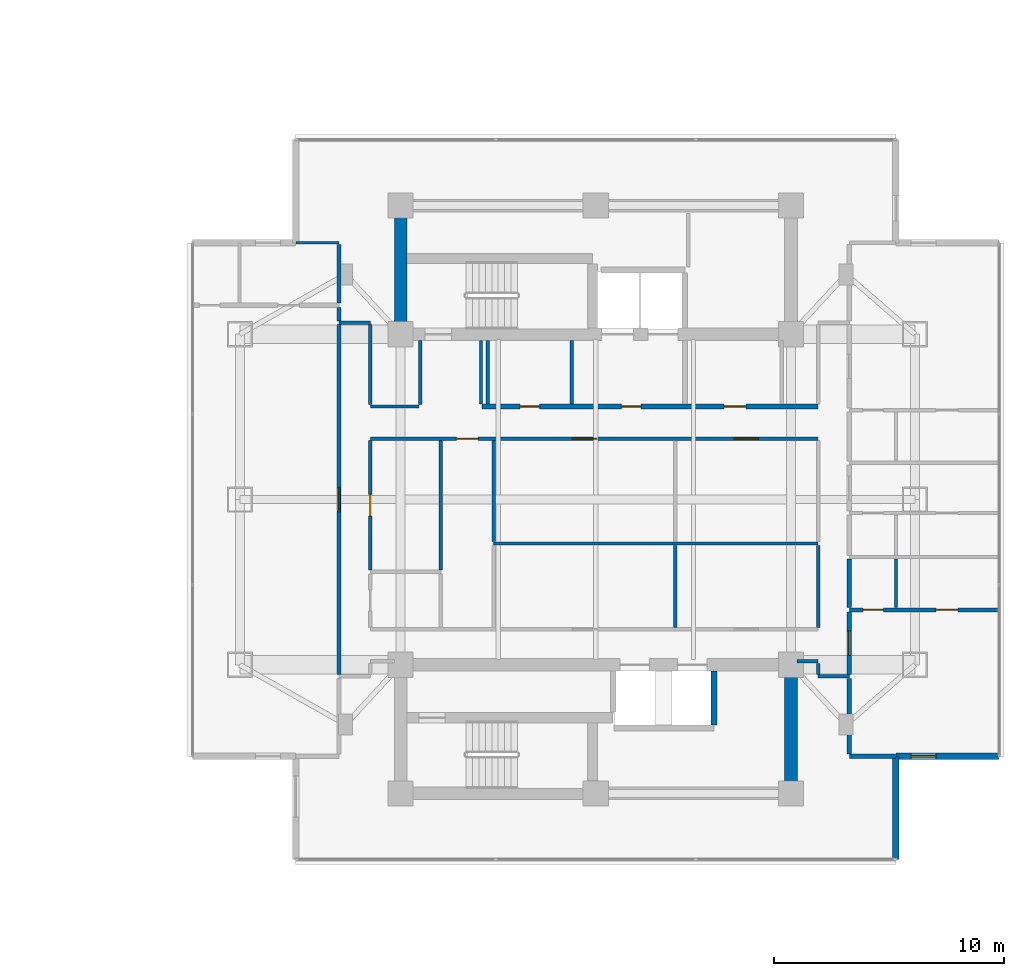
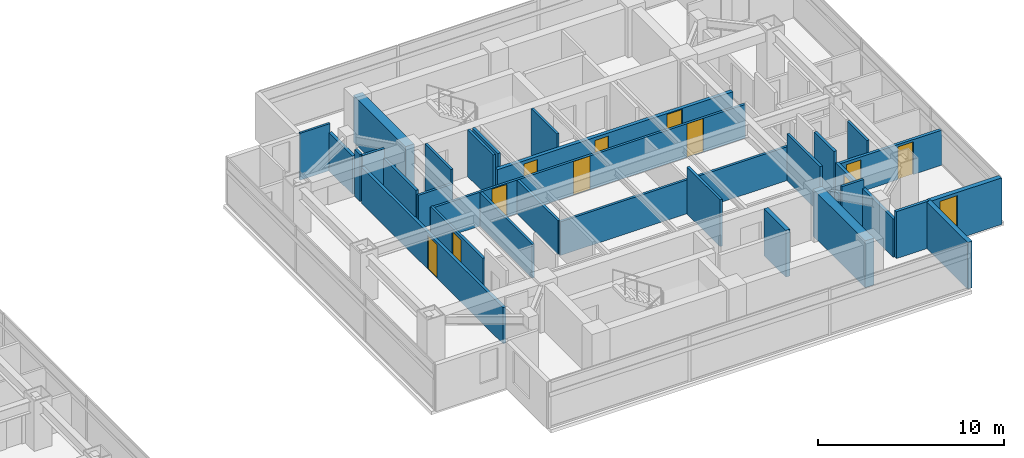
# One storey, part 18 of 26: 33 walls, 11 doors, 1 window, 12 openings.
"""IFC4 building model written with IfcOpenShell, lengths in metres."""

from ifc_helpers import new_model, si_unit, direction, frame, frame_2d, origin, place, context, subcontext, project, spatial, rectangle, extrude, material, layer, layer_set, type_object, element, fill, save


model = new_model("IFC4")

# Units and contexts
model_context = context("Model", 3, precision=1e-05, world=origin(), true_north=direction((0.0, 1.0)))
body_context = subcontext(model_context, "Body", "Model", "MODEL_VIEW")
ifc_project = project(units=[si_unit("LENGTHUNIT", "METRE"), si_unit("AREAUNIT", "SQUARE_METRE"), si_unit("VOLUMEUNIT", "CUBIC_METRE"), si_unit("PLANEANGLEUNIT", "RADIAN"), si_unit("MASSUNIT", "GRAM", prefix="KILO")], contexts=[model_context])

# Site, building, storey
site_placement = place(None, origin())
site = spatial("IfcSite", under=ifc_project, at=site_placement, CompositionType="ELEMENT")
building_placement = place(site_placement, origin())
building = spatial("IfcBuilding", under=site, at=building_placement, Name="Mirazonda Arch Towers", CompositionType="ELEMENT")
storey_placement = place(building_placement, frame((0.0, 0.0, 128.0)))
storey = spatial("IfcBuildingStorey", under=building, at=storey_placement, Name="L36", CompositionType="ELEMENT", Elevation=128.0)

# Walls
ifc_material_1 = material(Name="Concrete C50/60", Category="concrete")
ifc_layer_1 = layer(ifc_material_1, 0.550048828125, Name="WALL-CORE-550")
ifc_layer_set_1 = layer_set([ifc_layer_1], Name="Concrete C50/60")
wall_type_1 = type_object("IfcWallType", Name="WALL-CORE-550", PredefinedType="SHEAR", material=ifc_layer_set_1)
for number, where, z_axis, x_axis, name in (
    (1, (68.0, 35.199951171875, 0.0), (0.0, 0.0, 1.0), (0.0, 1.0, 0.0), "L36 T2N-W Core Shear Wall"),
    (2, (85.0, 15.199951171875, 0.0), (0.0, 0.0, 1.0), (0.0, 1.0, 0.0), "L36 T2S-E Core Shear Wall"),
):
    element("IfcWall", number, at=place(storey_placement, frame(where, z_axis=z_axis, x_axis=x_axis)), inside=storey, type_object=wall_type_1, Name=name, PredefinedType="SHEAR", context=body_context, shape_type="SweptSolid", body=[
        extrude(rectangle(XDim=5.60009765625, YDim=0.550048828125, at=frame_2d((2.800048828125, 0.0))), origin(), (0.0, 0.0, 1.0), 3.080078125),
    ])

# Wall, opening, window
ifc_material_2 = material(Name="Precast Concrete C40/50", Category="concrete")
ifc_layer_2 = layer(ifc_material_2, 0.280029296875, Name="WALL-EXT-WALL-280")
ifc_layer_set_2 = layer_set([ifc_layer_2], Name="Precast Concrete C40/50")
wall_type_2 = type_object("IfcWallType", Name="WALL-EXT-WALL-280", PredefinedType="SOLIDWALL", material=ifc_layer_set_2)
wall_1_placement = place(storey_placement, frame((89.572509765625, 16.817626953125, 0.0), z_axis=(0.0, 0.0, 1.0), x_axis=(1.0, 0.0, 0.0)))
wall_1 = element("IfcWall", 3, at=wall_1_placement, inside=storey, type_object=wall_type_2, Name="L36 T2 Corner Notch Return Wall WL-L36-T2-CSE1", PredefinedType="SOLIDWALL", context=body_context, shape_type="SweptSolid", body=[
    extrude(rectangle(XDim=4.486572265625, YDim=0.280029296875, at=frame_2d((2.2431640625, 0.0))), origin(), (0.0, 0.0, 1.0), 3.06005859375),
])
opening_1_placement = place(wall_1_placement, frame((0.64990234375, 0.0, 0.85009765625)))
opening_1 = element("IfcOpeningElement", 4, at=opening_1_placement, cuts=wall_1, Name="Opening WN-108", PredefinedType="OPENING", context=body_context, shape_type="SweptSolid", body=[
    extrude(rectangle(XDim=1.10009765625, YDim=2.0, at=frame_2d((0.550048828125, 1.0))), frame((0.0, 0.14990234375, 0.0), z_axis=(0.0, -1.0, 0.0), x_axis=(1.0, 0.0, 0.0)), (0.0, 0.0, 1.0), 0.300048828125),
])
ifc_material_3 = material(Name="Insulated Low-E Solar Glass", Category="glass")
window_type = type_object("IfcWindowType", Name="WIN-NOTCH-1100x2000", PartitioningType="SINGLE_PANEL", PredefinedType="WINDOW", material=ifc_material_3)
window_placement = place(opening_1_placement, origin())
window = element("IfcWindow", 5, at=window_placement, inside=storey, type_object=window_type, Name="L36 Punched Facade Window WN-L36-T2-CSE1", OverallHeight=2.0, OverallWidth=1.10009765625, PartitioningType="SINGLE_PANEL", PredefinedType="WINDOW", context=body_context, shape_type="SweptSolid", body=[
    extrude(rectangle(XDim=1.10009765625, YDim=2.0, at=frame_2d((0.550048828125, 1.0))), frame((0.0, 0.030029296875, 0.0), z_axis=(0.0, -1.0, 0.0), x_axis=(1.0, 0.0, 0.0)), (0.0, 0.0, 1.0), 0.06005859375),
])
fill(opening_1, window)

# Wall
wall_2_placement = place(storey_placement, frame((89.572509765625, 12.3310546875, 0.0), z_axis=(0.0, 0.0, 1.0), x_axis=(0.0, 1.0, 0.0)))
element("IfcWall", 6, at=wall_2_placement, inside=storey, type_object=wall_type_2, Name="L36 T2 Corner Notch Return Wall WL-L36-T2-CSE2", PredefinedType="SOLIDWALL", context=body_context, shape_type="SweptSolid", body=[
    extrude(rectangle(XDim=4.486572265625, YDim=0.280029296875, at=frame_2d((2.2431640625, 0.0))), origin(), (0.0, 0.0, 1.0), 3.06005859375),
])

# Wall, openings, doors
ifc_material_4 = material(Name="Concrete C40/50", Category="concrete")
ifc_layer_3 = layer(ifc_material_4, 0.219970703125, Name="WALL-FFL-220")
ifc_layer_set_3 = layer_set([ifc_layer_3], Name="Concrete C40/50")
wall_type_3 = type_object("IfcWallType", Name="WALL-FFL-220", PredefinedType="SOLIDWALL", material=ifc_layer_set_3)
wall_3_placement = place(storey_placement, frame((71.550048828125, 32.050048828125, 0.0), z_axis=(0.0, 0.0, 1.0), x_axis=(1.0, 0.0, 0.0)))
wall_3 = element("IfcWall", 7, at=wall_3_placement, inside=storey, type_object=wall_type_3, Name="L36 Interior Partition 042", PredefinedType="SOLIDWALL", context=body_context, shape_type="SweptSolid", body=[
    extrude(rectangle(XDim=14.6298828125, YDim=0.219970703125, at=frame_2d((7.31494140625, 0.0))), origin(), (0.0, 0.0, 1.0), 2.216064453125),
])
opening_2_placement = place(wall_3_placement, frame((6.06494140625, 0.0, 0.0)))
opening_2 = element("IfcOpeningElement", 8, at=opening_2_placement, cuts=wall_3, Name="Opening DR-128", PredefinedType="OPENING", context=body_context, shape_type="SweptSolid", body=[
    extrude(rectangle(XDim=0.85009765625, YDim=2.010009765625, at=frame_2d((0.425048828125, 1.0048828125))), frame((0.0, 0.119873046875, 0.0), z_axis=(0.0, -1.0, 0.0), x_axis=(1.0, 0.0, 0.0)), (0.0, 0.0, 1.0), 0.239990234375),
])
opening_3_placement = place(wall_3_placement, frame((10.534912109375, 0.0, 0.0)))
opening_3 = element("IfcOpeningElement", 9, at=opening_3_placement, cuts=wall_3, Name="Opening DR-104", PredefinedType="OPENING", context=body_context, shape_type="SweptSolid", body=[
    extrude(rectangle(XDim=0.949951171875, YDim=2.14990234375, at=frame_2d((0.47509765625, 1.074951171875))), frame((0.0, 0.119873046875, 0.0), z_axis=(0.0, -1.0, 0.0), x_axis=(1.0, 0.0, 0.0)), (0.0, 0.0, 1.0), 0.239990234375),
])
opening_4_placement = place(wall_3_placement, frame((1.64990234375, 0.0, 0.0)))
opening_4 = element("IfcOpeningElement", 10, at=opening_4_placement, cuts=wall_3, Name="Opening DR-128", PredefinedType="OPENING", context=body_context, shape_type="SweptSolid", body=[
    extrude(rectangle(XDim=0.85009765625, YDim=2.010009765625, at=frame_2d((0.425048828125, 1.0048828125))), frame((0.0, 0.119873046875, 0.0), z_axis=(0.0, -1.0, 0.0), x_axis=(1.0, 0.0, 0.0)), (0.0, 0.0, 1.0), 0.239990234375),
])
ifc_material_5 = material(Name="Architectural Brushed Steel S355", Category="steel")
door_type_1 = type_object("IfcDoorType", Name="DOOR-RISER-FD60-850", OperationType="NOTDEFINED", PredefinedType="DOOR", material=ifc_material_5)
door_1_placement = place(opening_2_placement, origin())
door_1 = element("IfcDoor", 11, at=door_1_placement, inside=storey, type_object=door_type_1, Name="L36 East Firefighting Lift Lobby Door", OperationType="SINGLE_SWING_RIGHT", OverallHeight=2.010009765625, OverallWidth=0.85009765625, PredefinedType="DOOR", context=body_context, shape_type="SweptSolid", body=[
    extrude(rectangle(XDim=0.85009765625, YDim=2.010009765625, at=frame_2d((0.425048828125, 1.0048828125))), frame((0.0, 0.02490234375, 0.0), z_axis=(0.0, -1.0, 0.0), x_axis=(1.0, 0.0, 0.0)), (0.0, 0.0, 1.0), 0.050048828125),
])
fill(opening_2, door_1)
door_2_placement = place(opening_4_placement, origin())
door_2 = element("IfcDoor", 12, at=door_2_placement, inside=storey, type_object=door_type_1, Name="L36 Tower 2 Housekeeping & Linen Room Door", OperationType="SINGLE_SWING_RIGHT", OverallHeight=2.010009765625, OverallWidth=0.85009765625, PredefinedType="DOOR", context=body_context, shape_type="SweptSolid", body=[
    extrude(rectangle(XDim=0.85009765625, YDim=2.010009765625, at=frame_2d((0.425048828125, 1.0048828125))), frame((0.0, 0.02490234375, 0.0), z_axis=(0.0, -1.0, 0.0), x_axis=(1.0, 0.0, 0.0)), (0.0, 0.0, 1.0), 0.050048828125),
])
fill(opening_4, door_2)
door_type_2 = type_object("IfcDoorType", Name="DOOR-ROOM-950", OperationType="NOTDEFINED", PredefinedType="DOOR", material=ifc_material_5)
door_3_placement = place(opening_3_placement, origin())
door_3 = element("IfcDoor", 13, at=door_3_placement, inside=storey, type_object=door_type_2, Name="L36 East Sky Reading Library Door", OperationType="SINGLE_SWING_LEFT", OverallHeight=2.14990234375, OverallWidth=0.949951171875, PredefinedType="DOOR", context=body_context, shape_type="SweptSolid", body=[
    extrude(rectangle(XDim=0.949951171875, YDim=2.14990234375, at=frame_2d((0.47509765625, 1.074951171875))), frame((0.0, 0.02490234375, 0.0), z_axis=(0.0, -1.0, 0.0), x_axis=(1.0, 0.0, 0.0)), (0.0, 0.0, 1.0), 0.050048828125),
])
fill(opening_3, door_3)

# Walls
ifc_material_6 = material(Name="Fire-Rated Gypsum Stud Partition")
ifc_layer_4 = layer(ifc_material_6, 0.14990234375, Name="WALL-PART-CORR-150")
ifc_layer_set_4 = layer_set([ifc_layer_4], Name="Fire-Rated Gypsum Stud Partition")
wall_type_4 = type_object("IfcWallType", Name="WALL-PART-CORR-150", PredefinedType="PARTITIONING", material=ifc_layer_set_4)
wall_4_placement = place(storey_placement, frame((86.179931640625, 20.300048828125, 0.0), z_axis=(0.0, 0.0, 1.0), x_axis=(1.0, 0.0, 0.0)))
element("IfcWall", 14, at=wall_4_placement, inside=storey, type_object=wall_type_4, Name="L36 Interior Partition 018", PredefinedType="PARTITIONING", context=body_context, shape_type="SweptSolid", body=[
    extrude(rectangle(XDim=1.360107421875, YDim=0.14990234375, at=frame_2d((0.68017578125, 0.0))), origin(), (0.0, 0.0, 1.0), 3.080078125),
])
wall_5_placement = place(storey_placement, frame((85.27001953125, 20.949951171875, 0.0), z_axis=(0.0, 0.0, 1.0), x_axis=(1.0, 0.0, 0.0)))
element("IfcWall", 15, at=wall_5_placement, inside=storey, type_object=wall_type_4, Name="L36 Interior Partition 020", PredefinedType="PARTITIONING", context=body_context, shape_type="SweptSolid", body=[
    extrude(rectangle(XDim=0.909912109375, YDim=0.14990234375, at=frame_2d((0.455078125, 0.0))), origin(), (0.0, 0.0, 1.0), 2.471923828125),
])
wall_6_placement = place(storey_placement, frame((72.050048828125, 26.0849609375, 0.0), z_axis=(0.0, 0.0, 1.0), x_axis=(1.0, 0.0, 0.0)))
element("IfcWall", 16, at=wall_6_placement, inside=storey, type_object=wall_type_4, Name="L36 Interior Partition 031", PredefinedType="PARTITIONING", context=body_context, shape_type="SweptSolid", body=[
    extrude(rectangle(XDim=14.1298828125, YDim=0.14990234375, at=frame_2d((7.06494140625, 0.0))), origin(), (0.0, 0.0, 1.0), 2.216064453125),
])

# Wall, openings, doors
wall_7_placement = place(storey_placement, frame((66.679931640625, 30.64990234375, 0.0), z_axis=(0.0, 0.0, 1.0), x_axis=(1.0, 0.0, 0.0)))
wall_7 = element("IfcWall", 17, at=wall_7_placement, inside=storey, type_object=wall_type_4, Name="L36 Interior Partition 038", PredefinedType="PARTITIONING", context=body_context, shape_type="SweptSolid", body=[
    extrude(rectangle(XDim=19.5, YDim=0.14990234375, at=frame_2d((9.75, 0.0))), origin(), (0.0, 0.0, 1.0), 2.216064453125),
])
opening_5_placement = place(wall_7_placement, frame((3.7451171875, 0.0, 0.0)))
opening_5 = element("IfcOpeningElement", 18, at=opening_5_placement, cuts=wall_7, Name="Opening DR-104", PredefinedType="OPENING", context=body_context, shape_type="SweptSolid", body=[
    extrude(rectangle(XDim=0.949951171875, YDim=2.14990234375, at=frame_2d((0.47509765625, 1.074951171875))), frame((0.0, 0.0849609375, 0.0), z_axis=(0.0, -1.0, 0.0), x_axis=(1.0, 0.0, 0.0)), (0.0, 0.0, 1.0), 0.169921875),
])
opening_6_placement = place(wall_7_placement, frame((8.801513671875, 0.0, 0.0)))
opening_6 = element("IfcOpeningElement", 19, at=opening_6_placement, cuts=wall_7, Name="Opening DR-121", PredefinedType="OPENING", context=body_context, shape_type="SweptSolid", body=[
    extrude(rectangle(XDim=1.050048828125, YDim=2.199951171875, at=frame_2d((0.52490234375, 1.10009765625))), frame((0.0, 0.0849609375, 0.0), z_axis=(0.0, -1.0, 0.0), x_axis=(1.0, 0.0, 0.0)), (0.0, 0.0, 1.0), 0.169921875),
])
opening_7_placement = place(wall_7_placement, frame((15.846435546875, 0.0, 0.0)))
opening_7 = element("IfcOpeningElement", 20, at=opening_7_placement, cuts=wall_7, Name="Opening DR-121", PredefinedType="OPENING", context=body_context, shape_type="SweptSolid", body=[
    extrude(rectangle(XDim=1.050048828125, YDim=2.199951171875, at=frame_2d((0.52490234375, 1.10009765625))), frame((0.0, 0.0849609375, 0.0), z_axis=(0.0, -1.0, 0.0), x_axis=(1.0, 0.0, 0.0)), (0.0, 0.0, 1.0), 0.169921875),
])
door_4_placement = place(opening_5_placement, origin())
door_4 = element("IfcDoor", 21, at=door_4_placement, inside=storey, type_object=door_type_2, Name="L36 L36 East Courtyard Study Door", OperationType="SINGLE_SWING_RIGHT", OverallHeight=2.14990234375, OverallWidth=0.949951171875, PredefinedType="DOOR", context=body_context, shape_type="SweptSolid", body=[
    extrude(rectangle(XDim=0.949951171875, YDim=2.14990234375, at=frame_2d((0.47509765625, 1.074951171875))), frame((0.0, 0.02490234375, 0.0), z_axis=(0.0, -1.0, 0.0), x_axis=(1.0, 0.0, 0.0)), (0.0, 0.0, 1.0), 0.050048828125),
])
fill(opening_5, door_4)
door_type_3 = type_object("IfcDoorType", Name="DOOR-SUITE-FD60-1050", OperationType="NOTDEFINED", PredefinedType="DOOR", material=ifc_material_5)
door_5_placement = place(opening_6_placement, origin())
door_5 = element("IfcDoor", 22, at=door_5_placement, inside=storey, type_object=door_type_3, Name="L36 Concierge Salon Door", OperationType="SINGLE_SWING_LEFT", OverallHeight=2.199951171875, OverallWidth=1.050048828125, PredefinedType="DOOR", context=body_context, shape_type="SweptSolid", body=[
    extrude(rectangle(XDim=1.050048828125, YDim=2.199951171875, at=frame_2d((0.52490234375, 1.10009765625))), frame((0.0, 0.02490234375, 0.0), z_axis=(0.0, -1.0, 0.0), x_axis=(1.0, 0.0, 0.0)), (0.0, 0.0, 1.0), 0.050048828125),
])
fill(opening_6, door_5)
door_6_placement = place(opening_7_placement, origin())
door_6 = element("IfcDoor", 23, at=door_6_placement, inside=storey, type_object=door_type_3, Name="L36 Private Meeting Suite Door", OperationType="SINGLE_SWING_RIGHT", OverallHeight=2.199951171875, OverallWidth=1.050048828125, PredefinedType="DOOR", context=body_context, shape_type="SweptSolid", body=[
    extrude(rectangle(XDim=1.050048828125, YDim=2.199951171875, at=frame_2d((0.52490234375, 1.10009765625))), frame((0.0, 0.02490234375, 0.0), z_axis=(0.0, -1.0, 0.0), x_axis=(1.0, 0.0, 0.0)), (0.0, 0.0, 1.0), 0.050048828125),
])
fill(opening_7, door_6)

# Walls
wall_8_placement = place(storey_placement, frame((66.679931640625, 32.050048828125, 0.0), z_axis=(0.0, 0.0, 1.0), x_axis=(1.0, 0.0, 0.0)))
element("IfcWall", 24, at=wall_8_placement, inside=storey, type_object=wall_type_4, Name="L36 Interior Partition 041", PredefinedType="PARTITIONING", context=body_context, shape_type="SweptSolid", body=[
    extrude(rectangle(XDim=2.1201171875, YDim=0.14990234375, at=frame_2d((1.06005859375, 0.0))), origin(), (0.0, 0.0, 1.0), 2.216064453125),
])
wall_9_placement = place(storey_placement, frame((65.320068359375, 35.699951171875, 0.0), z_axis=(0.0, 0.0, 1.0), x_axis=(1.0, 0.0, 0.0)))
element("IfcWall", 25, at=wall_9_placement, inside=storey, type_object=wall_type_4, Name="L36 Interior Partition 047", PredefinedType="PARTITIONING", context=body_context, shape_type="SweptSolid", body=[
    extrude(rectangle(XDim=1.35986328125, YDim=0.14990234375, at=frame_2d((0.679931640625, 0.0))), origin(), (0.0, 0.0, 1.0), 3.080078125),
])

# Wall, opening, door
wall_10_placement = place(storey_placement, frame((66.679931640625, 24.93505859375, 0.0), z_axis=(0.0, 0.0, 1.0), x_axis=(0.0, 1.0, 0.0)))
wall_10 = element("IfcWall", 26, at=wall_10_placement, inside=storey, type_object=wall_type_4, Name="L36 Interior Partition 117", PredefinedType="PARTITIONING", context=body_context, shape_type="SweptSolid", body=[
    extrude(rectangle(XDim=5.6298828125, YDim=0.14990234375, at=frame_2d((2.81494140625, 0.0))), origin(), (0.0, 0.0, 1.0), 2.3759765625),
])
opening_8_placement = place(wall_10_placement, frame((2.340087890625, 0.0, 0.0)))
opening_8 = element("IfcOpeningElement", 27, at=opening_8_placement, cuts=wall_10, Name="Opening DR-104", PredefinedType="OPENING", context=body_context, shape_type="SweptSolid", body=[
    extrude(rectangle(XDim=0.949951171875, YDim=2.14990234375, at=frame_2d((0.47509765625, 1.074951171875))), frame((0.0, 0.0849609375, 0.0), z_axis=(0.0, -1.0, 0.0), x_axis=(1.0, 0.0, 0.0)), (0.0, 0.0, 1.0), 0.169921875),
])
door_7_placement = place(opening_8_placement, origin())
door_7 = element("IfcDoor", 28, at=door_7_placement, inside=storey, type_object=door_type_2, Name="L36 L36 East Courtyard Reading Study Door", OperationType="SINGLE_SWING_LEFT", OverallHeight=2.14990234375, OverallWidth=0.949951171875, PredefinedType="DOOR", context=body_context, shape_type="SweptSolid", body=[
    extrude(rectangle(XDim=0.949951171875, YDim=2.14990234375, at=frame_2d((0.47509765625, 1.074951171875))), frame((0.0, 0.02490234375, 0.0), z_axis=(0.0, -1.0, 0.0), x_axis=(1.0, 0.0, 0.0)), (0.0, 0.0, 1.0), 0.050048828125),
])
fill(opening_8, door_7)

# Walls
wall_11_placement = place(storey_placement, frame((66.679931640625, 32.135009765625, 0.0), z_axis=(0.0, 0.0, 1.0), x_axis=(0.0, 1.0, 0.0)))
element("IfcWall", 29, at=wall_11_placement, inside=storey, type_object=wall_type_4, Name="L36 Interior Partition 118", PredefinedType="PARTITIONING", context=body_context, shape_type="SweptSolid", body=[
    extrude(rectangle(XDim=3.47998046875, YDim=0.14990234375, at=frame_2d((1.739990234375, 0.0))), origin(), (0.0, 0.0, 1.0), 2.471923828125),
])
wall_12_placement = place(storey_placement, frame((68.85009765625, 32.135009765625, 0.0), z_axis=(0.0, 0.0, 1.0), x_axis=(0.0, 1.0, 0.0)))
element("IfcWall", 30, at=wall_12_placement, inside=storey, type_object=wall_type_4, Name="L36 Interior Partition 119", PredefinedType="PARTITIONING", context=body_context, shape_type="SweptSolid", body=[
    extrude(rectangle(XDim=2.794921875, YDim=0.14990234375, at=frame_2d((1.3974609375, 0.0))), origin(), (0.0, 0.0, 1.0), 3.080078125),
])
wall_13_placement = place(storey_placement, frame((69.743408203125, 24.93505859375, 0.0), z_axis=(0.0, 0.0, 1.0), x_axis=(0.0, 1.0, 0.0)))
element("IfcWall", 31, at=wall_13_placement, inside=storey, type_object=wall_type_4, Name="L36 Interior Partition 121", PredefinedType="PARTITIONING", context=body_context, shape_type="SweptSolid", body=[
    extrude(rectangle(XDim=5.6298828125, YDim=0.14990234375, at=frame_2d((2.81494140625, 0.0))), origin(), (0.0, 0.0, 1.0), 2.216064453125),
])
for number, where, z_axis, x_axis, name in (
    (32, (71.5, 32.169921875, 0.0), (0.0, 0.0, 1.0), (0.0, 1.0, 0.0), "L36 Interior Partition 122"),
    (33, (71.800048828125, 32.169921875, 0.0), (0.0, 0.0, 1.0), (0.0, 1.0, 0.0), "L36 Interior Partition 123"),
):
    element("IfcWall", number, at=place(storey_placement, frame(where, z_axis=z_axis, x_axis=x_axis)), inside=storey, type_object=wall_type_4, Name=name, PredefinedType="PARTITIONING", context=body_context, shape_type="SweptSolid", body=[
        extrude(rectangle(XDim=2.760009765625, YDim=0.14990234375, at=frame_2d((1.3798828125, 0.0))), origin(), (0.0, 0.0, 1.0), 3.080078125),
    ])
wall_14_placement = place(storey_placement, frame((72.050048828125, 26.169921875, 0.0), z_axis=(0.0, 0.0, 1.0), x_axis=(0.0, 1.0, 0.0)))
element("IfcWall", 34, at=wall_14_placement, inside=storey, type_object=wall_type_4, Name="L36 Interior Partition 125", PredefinedType="PARTITIONING", context=body_context, shape_type="SweptSolid", body=[
    extrude(rectangle(XDim=4.39501953125, YDim=0.14990234375, at=frame_2d((2.197509765625, 0.0))), origin(), (0.0, 0.0, 1.0), 2.216064453125),
])
wall_15_placement = place(storey_placement, frame((75.449951171875, 32.169921875, 0.0), z_axis=(0.0, 0.0, 1.0), x_axis=(0.0, 1.0, 0.0)))
element("IfcWall", 35, at=wall_15_placement, inside=storey, type_object=wall_type_4, Name="L36 Interior Partition 126", PredefinedType="PARTITIONING", context=body_context, shape_type="SweptSolid", body=[
    extrude(rectangle(XDim=2.760009765625, YDim=0.14990234375, at=frame_2d((1.3798828125, 0.0))), origin(), (0.0, 0.0, 1.0), 3.080078125),
])
wall_16_placement = place(storey_placement, frame((79.962890625, 22.43505859375, 0.0), z_axis=(0.0, 0.0, 1.0), x_axis=(0.0, 1.0, 0.0)))
element("IfcWall", 36, at=wall_16_placement, inside=storey, type_object=wall_type_4, Name="L36 Interior Partition 130", PredefinedType="PARTITIONING", context=body_context, shape_type="SweptSolid", body=[
    extrude(rectangle(XDim=3.56494140625, YDim=0.14990234375, at=frame_2d((1.782470703125, 0.0))), origin(), (0.0, 0.0, 1.0), 3.080078125),
])
wall_17_placement = place(storey_placement, frame((86.179931640625, 20.385009765625, 0.0), z_axis=(0.0, 0.0, 1.0), x_axis=(0.0, 1.0, 0.0)))
element("IfcWall", 37, at=wall_17_placement, inside=storey, type_object=wall_type_4, Name="L36 Interior Partition 137", PredefinedType="PARTITIONING", context=body_context, shape_type="SweptSolid", body=[
    extrude(rectangle(XDim=0.47998046875, YDim=0.14990234375, at=frame_2d((0.239990234375, 0.0))), origin(), (0.0, 0.0, 1.0), 2.471923828125),
])
wall_18_placement = place(storey_placement, frame((86.179931640625, 22.43505859375, 0.0), z_axis=(0.0, 0.0, 1.0), x_axis=(0.0, 1.0, 0.0)))
element("IfcWall", 38, at=wall_18_placement, inside=storey, type_object=wall_type_4, Name="L36 Interior Partition 138", PredefinedType="PARTITIONING", context=body_context, shape_type="SweptSolid", body=[
    extrude(rectangle(XDim=3.56494140625, YDim=0.14990234375, at=frame_2d((1.782470703125, 0.0))), origin(), (0.0, 0.0, 1.0), 3.080078125),
])
ifc_material_7 = material(Name="Fire-Rated Gypsum Twin-Stud Assembly")
ifc_layer_5 = layer(ifc_material_7, 0.179931640625, Name="WALL-PART-DEMISE-180")
ifc_layer_set_5 = layer_set([ifc_layer_5], Name="Fire-Rated Gypsum Twin-Stud Assembly")
wall_type_5 = type_object("IfcWallType", Name="WALL-PART-DEMISE-180", PredefinedType="PARTITIONING", material=ifc_layer_set_5)
wall_19_placement = place(storey_placement, frame((87.5400390625, 16.818115234375, 0.0), z_axis=(0.0, 0.0, 1.0), x_axis=(1.0, 0.0, 0.0)))
element("IfcWall", 39, at=wall_19_placement, inside=storey, type_object=wall_type_5, Name="L36 Interior Partition 010", PredefinedType="PARTITIONING", context=body_context, shape_type="SweptSolid", body=[
    extrude(rectangle(XDim=2.012451171875, YDim=0.179931640625, at=frame_2d((1.00634765625, 0.0))), origin(), (0.0, 0.0, 1.0), 3.080078125),
])

# Wall, openings, doors
wall_20_placement = place(storey_placement, frame((87.5400390625, 23.19189453125, 0.0), z_axis=(0.0, 0.0, 1.0), x_axis=(1.0, 0.0, 0.0)))
wall_20 = element("IfcWall", 40, at=wall_20_placement, inside=storey, type_object=wall_type_5, Name="L36 Interior Partition 024", PredefinedType="PARTITIONING", context=body_context, shape_type="SweptSolid", body=[
    extrude(rectangle(XDim=6.51904296875, YDim=0.179931640625, at=frame_2d((3.259521484375, 0.0))), origin(), (0.0, 0.0, 1.0), 2.299072265625),
])
opening_9_placement = place(wall_20_placement, frame((3.784423828125, 0.0, 0.0)))
opening_9 = element("IfcOpeningElement", 41, at=opening_9_placement, cuts=wall_20, Name="Opening DR-104", PredefinedType="OPENING", context=body_context, shape_type="SweptSolid", body=[
    extrude(rectangle(XDim=0.949951171875, YDim=2.14990234375, at=frame_2d((0.47509765625, 1.074951171875))), frame((0.0, 0.099853515625, 0.0), z_axis=(0.0, -1.0, 0.0), x_axis=(1.0, 0.0, 0.0)), (0.0, 0.0, 1.0), 0.199951171875),
])
opening_10_placement = place(wall_20_placement, frame((0.590087890625, 0.0, 0.0)))
opening_10 = element("IfcOpeningElement", 42, at=opening_10_placement, cuts=wall_20, Name="Opening DR-120", PredefinedType="OPENING", context=body_context, shape_type="SweptSolid", body=[
    extrude(rectangle(XDim=0.89990234375, YDim=2.10009765625, at=frame_2d((0.449951171875, 1.050048828125))), frame((0.0, 0.099853515625, 0.0), z_axis=(0.0, -1.0, 0.0), x_axis=(1.0, 0.0, 0.0)), (0.0, 0.0, 1.0), 0.199951171875),
])
door_8_placement = place(opening_9_placement, origin())
door_8 = element("IfcDoor", 43, at=door_8_placement, inside=storey, type_object=door_type_2, Name="L36 Guestroom Study 1 Door", OperationType="SINGLE_SWING_LEFT", OverallHeight=2.14990234375, OverallWidth=0.949951171875, PredefinedType="DOOR", context=body_context, shape_type="SweptSolid", body=[
    extrude(rectangle(XDim=0.949951171875, YDim=2.14990234375, at=frame_2d((0.47509765625, 1.074951171875))), frame((0.0, 0.02490234375, 0.0), z_axis=(0.0, -1.0, 0.0), x_axis=(1.0, 0.0, 0.0)), (0.0, 0.0, 1.0), 0.050048828125),
])
fill(opening_9, door_8)
door_type_4 = type_object("IfcDoorType", Name="DOOR-WC-900", OperationType="NOTDEFINED", PredefinedType="DOOR", material=ifc_material_5)
door_9_placement = place(opening_10_placement, origin())
door_9 = element("IfcDoor", 44, at=door_9_placement, inside=storey, type_object=door_type_4, Name="L36 En-Suite Bathroom 1 Door", OperationType="SINGLE_SWING_RIGHT", OverallHeight=2.10009765625, OverallWidth=0.89990234375, PredefinedType="DOOR", context=body_context, shape_type="SweptSolid", body=[
    extrude(rectangle(XDim=0.89990234375, YDim=2.10009765625, at=frame_2d((0.449951171875, 1.050048828125))), frame((0.0, 0.02490234375, 0.0), z_axis=(0.0, -1.0, 0.0), x_axis=(1.0, 0.0, 0.0)), (0.0, 0.0, 1.0), 0.050048828125),
])
fill(opening_10, door_9)

# Wall, opening, door
wall_21_placement = place(storey_placement, frame((65.320068359375, 20.385009765625, 0.0), z_axis=(0.0, 0.0, 1.0), x_axis=(0.0, 1.0, 0.0)))
wall_21 = element("IfcWall", 45, at=wall_21_placement, inside=storey, type_object=wall_type_5, Name="L36 Interior Partition 112", PredefinedType="PARTITIONING", context=body_context, shape_type="SweptSolid", body=[
    extrude(rectangle(XDim=15.22998046875, YDim=0.179931640625, at=frame_2d((7.614990234375, 0.0))), origin(), (0.0, 0.0, 1.0), 2.3759765625),
])
opening_11_placement = place(wall_21_placement, frame((7.090087890625, 0.0, 0.0)))
opening_11 = element("IfcOpeningElement", 46, at=opening_11_placement, cuts=wall_21, Name="Opening DR-121", PredefinedType="OPENING", context=body_context, shape_type="SweptSolid", body=[
    extrude(rectangle(XDim=1.050048828125, YDim=2.199951171875, at=frame_2d((0.52490234375, 1.10009765625))), frame((0.0, 0.099853515625, 0.0), z_axis=(0.0, -1.0, 0.0), x_axis=(1.0, 0.0, 0.0)), (0.0, 0.0, 1.0), 0.199951171875),
])
door_10_placement = place(opening_11_placement, origin())
door_10 = element("IfcDoor", 47, at=door_10_placement, inside=storey, type_object=door_type_3, Name="L36 Presidential Hotel Suite 1 Door", OperationType="SINGLE_SWING_LEFT", OverallHeight=2.199951171875, OverallWidth=1.050048828125, PredefinedType="DOOR", context=body_context, shape_type="SweptSolid", body=[
    extrude(rectangle(XDim=1.050048828125, YDim=2.199951171875, at=frame_2d((0.52490234375, 1.10009765625))), frame((0.0, 0.02490234375, 0.0), z_axis=(0.0, -1.0, 0.0), x_axis=(1.0, 0.0, 0.0)), (0.0, 0.0, 1.0), 0.050048828125),
])
fill(opening_11, door_10)

# Walls
wall_22_placement = place(storey_placement, frame((65.320068359375, 35.784912109375, 0.0), z_axis=(0.0, 0.0, 1.0), x_axis=(0.0, 1.0, 0.0)))
element("IfcWall", 48, at=wall_22_placement, inside=storey, type_object=wall_type_5, Name="L36 Interior Partition 113", PredefinedType="PARTITIONING", context=body_context, shape_type="SweptSolid", body=[
    extrude(rectangle(XDim=0.5771484375, YDim=0.179931640625, at=frame_2d((0.28857421875, 0.0))), origin(), (0.0, 0.0, 1.0), 3.080078125),
])
wall_23_placement = place(storey_placement, frame((65.320068359375, 36.56201171875, 0.0), z_axis=(0.0, 0.0, 1.0), x_axis=(0.0, 1.0, 0.0)))
element("IfcWall", 49, at=wall_23_placement, inside=storey, type_object=wall_type_5, Name="L36 Interior Partition 114", PredefinedType="PARTITIONING", context=body_context, shape_type="SweptSolid", body=[
    extrude(rectangle(XDim=2.547607421875, YDim=0.179931640625, at=frame_2d((1.27392578125, 0.0))), origin(), (0.0, 0.0, 1.0), 2.52294921875),
])
wall_24_placement = place(storey_placement, frame((87.5400390625, 16.91796875, 0.0), z_axis=(0.0, 0.0, 1.0), x_axis=(0.0, 1.0, 0.0)))
element("IfcWall", 50, at=wall_24_placement, inside=storey, type_object=wall_type_5, Name="L36 Interior Partition 141", PredefinedType="PARTITIONING", context=body_context, shape_type="SweptSolid", body=[
    extrude(rectangle(XDim=3.297119140625, YDim=0.179931640625, at=frame_2d((1.6484375, 0.0))), origin(), (0.0, 0.0, 1.0), 2.52294921875),
])

# Wall, opening, door
wall_25_placement = place(storey_placement, frame((87.5400390625, 20.385009765625, 0.0), z_axis=(0.0, 0.0, 1.0), x_axis=(0.0, 1.0, 0.0)))
wall_25 = element("IfcWall", 51, at=wall_25_placement, inside=storey, type_object=wall_type_5, Name="L36 Interior Partition 142", PredefinedType="PARTITIONING", context=body_context, shape_type="SweptSolid", body=[
    extrude(rectangle(XDim=2.70703125, YDim=0.179931640625, at=frame_2d((1.353515625, 0.0))), origin(), (0.0, 0.0, 1.0), 2.471923828125),
])
opening_12_placement = place(wall_25_placement, frame((0.82861328125, 0.0, 0.0)))
opening_12 = element("IfcOpeningElement", 52, at=opening_12_placement, cuts=wall_25, Name="Opening DR-121", PredefinedType="OPENING", context=body_context, shape_type="SweptSolid", body=[
    extrude(rectangle(XDim=1.050048828125, YDim=2.199951171875, at=frame_2d((0.52490234375, 1.10009765625))), frame((0.0, 0.099853515625, 0.0), z_axis=(0.0, -1.0, 0.0), x_axis=(1.0, 0.0, 0.0)), (0.0, 0.0, 1.0), 0.199951171875),
])
door_11_placement = place(opening_12_placement, origin())
door_11 = element("IfcDoor", 53, at=door_11_placement, inside=storey, type_object=door_type_3, Name="L36 King Hotel Guestroom 1 Door", OperationType="SINGLE_SWING_RIGHT", OverallHeight=2.199951171875, OverallWidth=1.050048828125, PredefinedType="DOOR", context=body_context, shape_type="SweptSolid", body=[
    extrude(rectangle(XDim=1.050048828125, YDim=2.199951171875, at=frame_2d((0.52490234375, 1.10009765625))), frame((0.0, 0.02490234375, 0.0), z_axis=(0.0, -1.0, 0.0), x_axis=(1.0, 0.0, 0.0)), (0.0, 0.0, 1.0), 0.050048828125),
])
fill(opening_12, door_11)

# Walls
wall_26_placement = place(storey_placement, frame((87.5400390625, 23.2919921875, 0.0), z_axis=(0.0, 0.0, 1.0), x_axis=(0.0, 1.0, 0.0)))
element("IfcWall", 54, at=wall_26_placement, inside=storey, type_object=wall_type_5, Name="L36 Interior Partition 143", PredefinedType="PARTITIONING", context=body_context, shape_type="SweptSolid", body=[
    extrude(rectangle(XDim=2.12744140625, YDim=0.179931640625, at=frame_2d((1.063720703125, 0.0))), origin(), (0.0, 0.0, 1.0), 3.080078125),
])
ifc_material_8 = material(Name="Acoustic Fire-Rated Gypsum Partition")
ifc_layer_6 = layer(ifc_material_8, 0.125, Name="WALL-PART-UNIT-125")
ifc_layer_set_6 = layer_set([ifc_layer_6], Name="Acoustic Fire-Rated Gypsum Partition")
wall_type_6 = type_object("IfcWallType", Name="WALL-PART-UNIT-125", PredefinedType="PARTITIONING", material=ifc_layer_set_6)
wall_27_placement = place(storey_placement, frame((63.447509765625, 39.181884765625, 0.0), z_axis=(0.0, 0.0, 1.0), x_axis=(1.0, 0.0, 0.0)))
element("IfcWall", 55, at=wall_27_placement, inside=storey, type_object=wall_type_6, Name="L36 Interior Partition 052", PredefinedType="PARTITIONING", context=body_context, shape_type="SweptSolid", body=[
    extrude(rectangle(XDim=1.87255859375, YDim=0.125, at=frame_2d((0.936279296875, 0.0))), origin(), (0.0, 0.0, 1.0), 3.080078125),
])
wall_28_placement = place(storey_placement, frame((89.580078125, 23.2919921875, 0.0), z_axis=(0.0, 0.0, 1.0), x_axis=(0.0, 1.0, 0.0)))
element("IfcWall", 56, at=wall_28_placement, inside=storey, type_object=wall_type_6, Name="L36 Interior Partition 149", PredefinedType="PARTITIONING", context=body_context, shape_type="SweptSolid", body=[
    extrude(rectangle(XDim=2.12744140625, YDim=0.125, at=frame_2d((1.063720703125, 0.0))), origin(), (0.0, 0.0, 1.0), 3.080078125),
])
ifc_layer_7 = layer(ifc_material_4, 0.25, Name="WALL-SHAFT-250")
ifc_layer_set_7 = layer_set([ifc_layer_7], Name="Concrete C40/50")
wall_type_7 = type_object("IfcWallType", Name="WALL-SHAFT-250", PredefinedType="SOLIDWALL", material=ifc_layer_set_7)
wall_29_placement = place(storey_placement, frame((81.64990234375, 18.18505859375, 0.0), z_axis=(0.0, 0.0, 1.0), x_axis=(0.0, 1.0, 0.0)))
element("IfcWall", 57, at=wall_29_placement, inside=storey, type_object=wall_type_7, Name="L36 Interior Partition 135", PredefinedType="SOLIDWALL", context=body_context, shape_type="SweptSolid", body=[
    extrude(rectangle(XDim=2.344970703125, YDim=0.25, at=frame_2d((1.17236328125, 0.0))), origin(), (0.0, 0.0, 1.0), 3.080078125),
])

save(model, "model.ifc")
